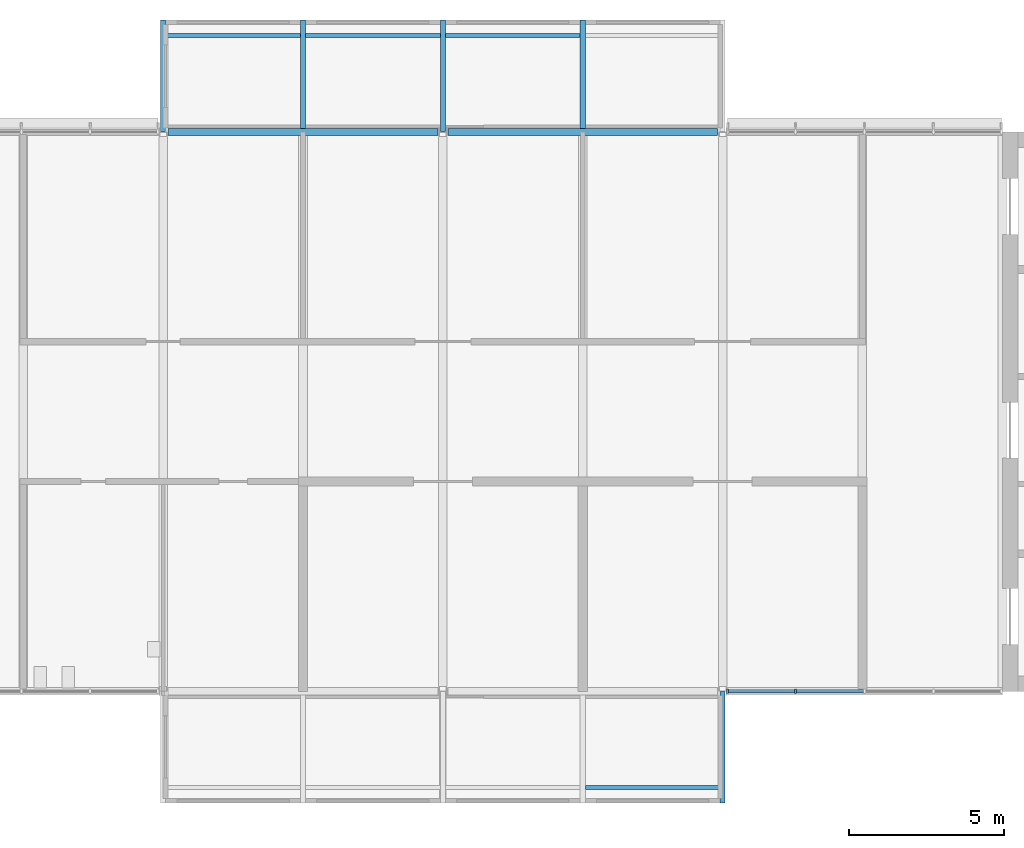
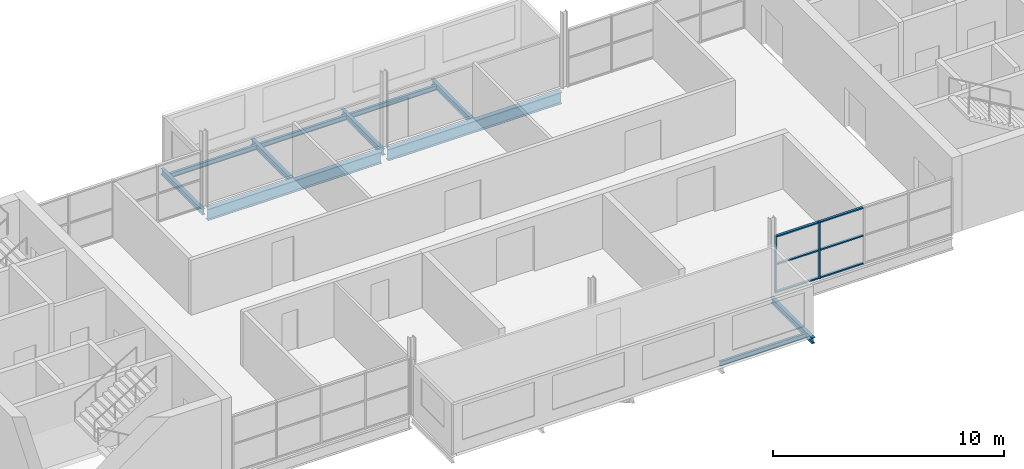
# One storey, part 2 of 10: 11 beams, 8 members, 1 element without a shape of its own.
"""IFC4 building model written with IfcOpenShell, lengths in metres."""

from ifc_helpers import new_model, si_unit, direction, frame, origin, origin_2d, place, context, subcontext, project, spatial, rectangle, i_section, extrude, material, layer, layer_set, material_profile, profile_set, type_object, element, aggregate, save


model = new_model("IFC4")

# Units and contexts
model_context = context("Model", 3, precision=1e-05, world=origin(), true_north=direction((0.0, 1.0)))
body_context = subcontext(model_context, "Body", "Model", "MODEL_VIEW")
ifc_project = project(units=[si_unit("LENGTHUNIT", "METRE"), si_unit("AREAUNIT", "SQUARE_METRE"), si_unit("VOLUMEUNIT", "CUBIC_METRE"), si_unit("PLANEANGLEUNIT", "RADIAN"), si_unit("MASSUNIT", "GRAM", prefix="KILO")], contexts=[model_context])

# Site, building, storey
site_placement = place(None, origin())
site = spatial("IfcSite", under=ifc_project, at=site_placement, CompositionType="ELEMENT")
building_placement = place(site_placement, origin())
building = spatial("IfcBuilding", under=site, at=building_placement, Name="Corbel Yard City Hall", CompositionType="ELEMENT")
storey_placement = place(building_placement, frame((0.0, 0.0, 67.199951171875)))
storey = spatial("IfcBuildingStorey", under=building, at=storey_placement, Name="L16", CompositionType="ELEMENT", Elevation=67.199951171875)

# Beams
ifc_material_1 = material(Name="Steel Grade 300 (300 MPa yield)", Category="steel")
ifc_material_profile_1 = material_profile(ifc_material_1, i_section(OverallWidth=0.22900390625, OverallDepth=0.612060546875, WebThickness=0.011962890625, FlangeThickness=0.01953125, at=origin_2d()), Name="610UB125")
ifc_profile_set_1 = profile_set([ifc_material_profile_1], Name="Steel Grade 300 (300 MPa yield)")
beam_type_1 = type_object("IfcBeamType", Name="Edge beam 610UB125", PredefinedType="BEAM", material=ifc_profile_set_1)
for number, where, z_axis, x_axis, name in (
    (1, (18.157470703125, 117.0, -0.4560546875), (1.0, 0.0, 0.0), (0.0, 1.0, 0.0), "Edge beam 610UB125 EB7 L16tower"),
    (2, (27.157470703125, 117.0, -0.4560546875), (1.0, 0.0, 0.0), (0.0, 1.0, 0.0), "Edge beam 610UB125 EB7 L16tower"),
):
    element("IfcBeam", number, at=place(storey_placement, frame(where, z_axis=z_axis, x_axis=x_axis)), inside=storey, type_object=beam_type_1, Name=name, PredefinedType="BEAM", context=body_context, shape_type="SweptSolid", body=[
        extrude(i_section(OverallWidth=0.22900390625, OverallDepth=0.612060546875, WebThickness=0.011962890625, FlangeThickness=0.01953125, at=origin_2d()), origin(), (0.0, 0.0, 1.0), 8.68505859375),
    ])

# Curtain wall, members
ifc_material_2 = material(Name="Aluminium extrusion", Category="aluminium")
ifc_layer = layer(ifc_material_2, 0.14990234375)
ifc_layer_set = layer_set([ifc_layer], Name="Aluminium extrusion")
curtain_wall_type = type_object("IfcCurtainWallType", Name="CW2", PredefinedType="USERDEFINED", material=ifc_layer_set)
curtain_wall_placement = place(storey_placement, origin())
curtain_wall = element("IfcCurtainWall", 3, at=curtain_wall_placement, inside=storey, type_object=curtain_wall_type, Name="Curtain wall CW2 L16", ObjectType="CURTAIN WALL", PredefinedType="USERDEFINED")
ifc_material_profile_2 = material_profile(ifc_material_2, rectangle(XDim=0.14990234375, YDim=0.06494140625, at=origin_2d()), Name="150x65")
ifc_profile_set_2 = profile_set([ifc_material_profile_2], Name="Aluminium extrusion")
member_type_1 = type_object("IfcMemberType", Name="ML2", PredefinedType="MULLION", material=ifc_profile_set_2)
member_1_placement = place(storey_placement, frame((36.16259765625, 99.0, 0.0), z_axis=(0.0, 0.0, 1.0), x_axis=(0.0, 1.0, 0.0)))
member_1 = element("IfcMember", 4, at=member_1_placement, type_object=member_type_1, Name="CW2 mullion 1", PredefinedType="MULLION", context=body_context, shape_type="SweptSolid", body=[
    extrude(rectangle(XDim=0.14990234375, YDim=0.06494140625, at=origin_2d()), origin(), (0.0, 0.0, 1.0), 3.0),
])
member_2_placement = place(storey_placement, frame((38.347412109375, 99.0, 0.0), z_axis=(0.0, 0.0, 1.0), x_axis=(0.0, 1.0, 0.0)))
member_2 = element("IfcMember", 5, at=member_2_placement, type_object=member_type_1, Name="CW2 mullion 2", PredefinedType="MULLION", context=body_context, shape_type="SweptSolid", body=[
    extrude(rectangle(XDim=0.14990234375, YDim=0.06494140625, at=origin_2d()), origin(), (0.0, 0.0, 1.0), 3.0),
])

# Beams
ifc_material_profile_3 = material_profile(ifc_material_1, i_section(OverallWidth=0.166015625, OverallDepth=0.306884765625, WebThickness=0.006591796875, FlangeThickness=0.01171875, at=origin_2d()), Name="310UB46.2")
ifc_profile_set_3 = profile_set([ifc_material_profile_3], Name="Steel Grade 300 (300 MPa yield)")
beam_type_2 = type_object("IfcBeamType", Name="Pod stub beam 310UB46.2", PredefinedType="BEAM", material=ifc_profile_set_3)
for number, where, z_axis, x_axis, name in (
    (6, (36.0, 95.39990234375, -0.303466796875), (0.0, 1.0, 0.0), (-1.0, 0.0, 0.0), "Pod stub 310UB46.2 CB1 L16"),
    (7, (18.0, 117.00537109375, -0.303466796875), (0.0, 1.0, 0.0), (-1.0, 0.0, 0.0), "Pod stub 310UB46.2 CB1 L16"),
):
    element("IfcBeam", number, at=place(storey_placement, frame(where, z_axis=z_axis, x_axis=x_axis)), inside=storey, type_object=beam_type_2, Name=name, PredefinedType="BEAM", context=body_context, shape_type="SweptSolid", body=[
        extrude(i_section(OverallWidth=0.166015625, OverallDepth=0.306884765625, WebThickness=0.006591796875, FlangeThickness=0.01171875, at=origin_2d()), origin(), (0.0, 0.0, 1.0), 3.5947265625),
    ])
beam_1_placement = place(storey_placement, frame((22.5, 117.114501953125, -0.303466796875), z_axis=(0.0, 1.0, 0.0), x_axis=(-1.0, 0.0, 0.0)))
element("IfcBeam", 8, at=beam_1_placement, inside=storey, type_object=beam_type_2, Name="Pod stub 310UB46.2 CB1 L16", PredefinedType="BEAM", context=body_context, shape_type="SweptSolid", body=[
    extrude(i_section(OverallWidth=0.166015625, OverallDepth=0.306884765625, WebThickness=0.006591796875, FlangeThickness=0.01171875, at=origin_2d()), origin(), (0.0, 0.0, 1.0), 3.485595703125),
])
beam_2_placement = place(storey_placement, frame((27.0, 117.00537109375, -0.303466796875), z_axis=(0.0, 1.0, 0.0), x_axis=(-1.0, 0.0, 0.0)))
element("IfcBeam", 9, at=beam_2_placement, inside=storey, type_object=beam_type_2, Name="Pod stub 310UB46.2 CB1 L16", PredefinedType="BEAM", context=body_context, shape_type="SweptSolid", body=[
    extrude(i_section(OverallWidth=0.166015625, OverallDepth=0.306884765625, WebThickness=0.006591796875, FlangeThickness=0.01171875, at=origin_2d()), origin(), (0.0, 0.0, 1.0), 3.5947265625),
])
beam_3_placement = place(storey_placement, frame((31.5, 117.114501953125, -0.303466796875), z_axis=(0.0, 1.0, 0.0), x_axis=(-1.0, 0.0, 0.0)))
element("IfcBeam", 10, at=beam_3_placement, inside=storey, type_object=beam_type_2, Name="Pod stub 310UB46.2 CB1 L16", PredefinedType="BEAM", context=body_context, shape_type="SweptSolid", body=[
    extrude(i_section(OverallWidth=0.166015625, OverallDepth=0.306884765625, WebThickness=0.006591796875, FlangeThickness=0.01171875, at=origin_2d()), origin(), (0.0, 0.0, 1.0), 3.485595703125),
])
ifc_material_profile_4 = material_profile(ifc_material_1, i_section(OverallWidth=0.1240234375, OverallDepth=0.248046875, WebThickness=0.0048828125, FlangeThickness=0.008056640625, at=origin_2d()), Name="250UB25.7")
ifc_profile_set_4 = profile_set([ifc_material_profile_4], Name="Steel Grade 300 (300 MPa yield)")
beam_type_3 = type_object("IfcBeamType", Name="Pod tip beam", PredefinedType="BEAM", material=ifc_profile_set_4)
for number, where, z_axis, x_axis, name in (
    (11, (31.5830078125, 95.89990234375, -0.27392578125), (1.0, 0.0, 0.0), (0.0, 1.0, 0.0), "Pod tip beam"),
    (12, (18.0830078125, 120.10009765625, -0.27392578125), (1.0, 0.0, 0.0), (0.0, 1.0, 0.0), "Pod tip beam"),
    (13, (22.5830078125, 120.10009765625, -0.27392578125), (1.0, 0.0, 0.0), (0.0, 1.0, 0.0), "Pod tip beam"),
    (14, (27.0830078125, 120.10009765625, -0.27392578125), (1.0, 0.0, 0.0), (0.0, 1.0, 0.0), "Pod tip beam"),
):
    element("IfcBeam", number, at=place(storey_placement, frame(where, z_axis=z_axis, x_axis=x_axis)), inside=storey, type_object=beam_type_3, Name=name, PredefinedType="BEAM", context=body_context, shape_type="SweptSolid", body=[
        extrude(i_section(OverallWidth=0.1240234375, OverallDepth=0.248046875, WebThickness=0.0048828125, FlangeThickness=0.008056640625, at=origin_2d()), origin(), (0.0, 0.0, 1.0), 4.333984375),
    ])

# Member
ifc_material_profile_5 = material_profile(ifc_material_2, rectangle(XDim=0.1201171875, YDim=0.06494140625, at=origin_2d()), Name="120x65")
ifc_profile_set_5 = profile_set([ifc_material_profile_5], Name="Aluminium extrusion")
member_type_2 = type_object("IfcMemberType", Name="TR2", PredefinedType="USERDEFINED", material=ifc_profile_set_5)
member_3_placement = place(storey_placement, frame((36.195068359375, 99.0, 0.032470703125), z_axis=(1.0, 0.0, 0.0), x_axis=(0.0, 1.0, 0.0)))
member_3 = element("IfcMember", 15, at=member_3_placement, type_object=member_type_2, Name="CW2 transom 1.1", ObjectType="TRANSOM", PredefinedType="USERDEFINED", context=body_context, shape_type="SweptSolid", body=[
    extrude(rectangle(XDim=0.1201171875, YDim=0.06494140625, at=origin_2d()), origin(), (0.0, 0.0, 1.0), 2.119873046875),
])

member_4_placement = place(storey_placement, frame((36.195068359375, 99.0, 1.5), z_axis=(1.0, 0.0, 0.0), x_axis=(0.0, 1.0, 0.0)))
member_4 = element("IfcMember", 16, at=member_4_placement, type_object=member_type_2, Name="CW2 transom 1.2", ObjectType="TRANSOM", PredefinedType="USERDEFINED", context=body_context, shape_type="SweptSolid", body=[
    extrude(rectangle(XDim=0.1201171875, YDim=0.06494140625, at=origin_2d()), origin(), (0.0, 0.0, 1.0), 2.119873046875),
])

member_5_placement = place(storey_placement, frame((36.195068359375, 99.0, 2.967529296875), z_axis=(1.0, 0.0, 0.0), x_axis=(0.0, 1.0, 0.0)))
member_5 = element("IfcMember", 17, at=member_5_placement, type_object=member_type_2, Name="CW2 transom 1.3", ObjectType="TRANSOM", PredefinedType="USERDEFINED", context=body_context, shape_type="SweptSolid", body=[
    extrude(rectangle(XDim=0.1201171875, YDim=0.06494140625, at=origin_2d()), origin(), (0.0, 0.0, 1.0), 2.119873046875),
])

member_6_placement = place(storey_placement, frame((38.3798828125, 99.0, 0.032470703125), z_axis=(1.0, 0.0, 0.0), x_axis=(0.0, 1.0, 0.0)))
member_6 = element("IfcMember", 18, at=member_6_placement, type_object=member_type_2, Name="CW2 transom 2.1", ObjectType="TRANSOM", PredefinedType="USERDEFINED", context=body_context, shape_type="SweptSolid", body=[
    extrude(rectangle(XDim=0.1201171875, YDim=0.06494140625, at=origin_2d()), origin(), (0.0, 0.0, 1.0), 2.152587890625),
])

member_7_placement = place(storey_placement, frame((38.3798828125, 99.0, 1.5), z_axis=(1.0, 0.0, 0.0), x_axis=(0.0, 1.0, 0.0)))
member_7 = element("IfcMember", 19, at=member_7_placement, type_object=member_type_2, Name="CW2 transom 2.2", ObjectType="TRANSOM", PredefinedType="USERDEFINED", context=body_context, shape_type="SweptSolid", body=[
    extrude(rectangle(XDim=0.1201171875, YDim=0.06494140625, at=origin_2d()), origin(), (0.0, 0.0, 1.0), 2.152587890625),
])

member_8_placement = place(storey_placement, frame((38.3798828125, 99.0, 2.967529296875), z_axis=(1.0, 0.0, 0.0), x_axis=(0.0, 1.0, 0.0)))
member_8 = element("IfcMember", 20, at=member_8_placement, type_object=member_type_2, Name="CW2 transom 2.3", ObjectType="TRANSOM", PredefinedType="USERDEFINED", context=body_context, shape_type="SweptSolid", body=[
    extrude(rectangle(XDim=0.1201171875, YDim=0.06494140625, at=origin_2d()), origin(), (0.0, 0.0, 1.0), 2.152587890625),
])

aggregate(curtain_wall, [member_1, member_2, member_3, member_4, member_5, member_6, member_7, member_8])

save(model, "model.ifc")
